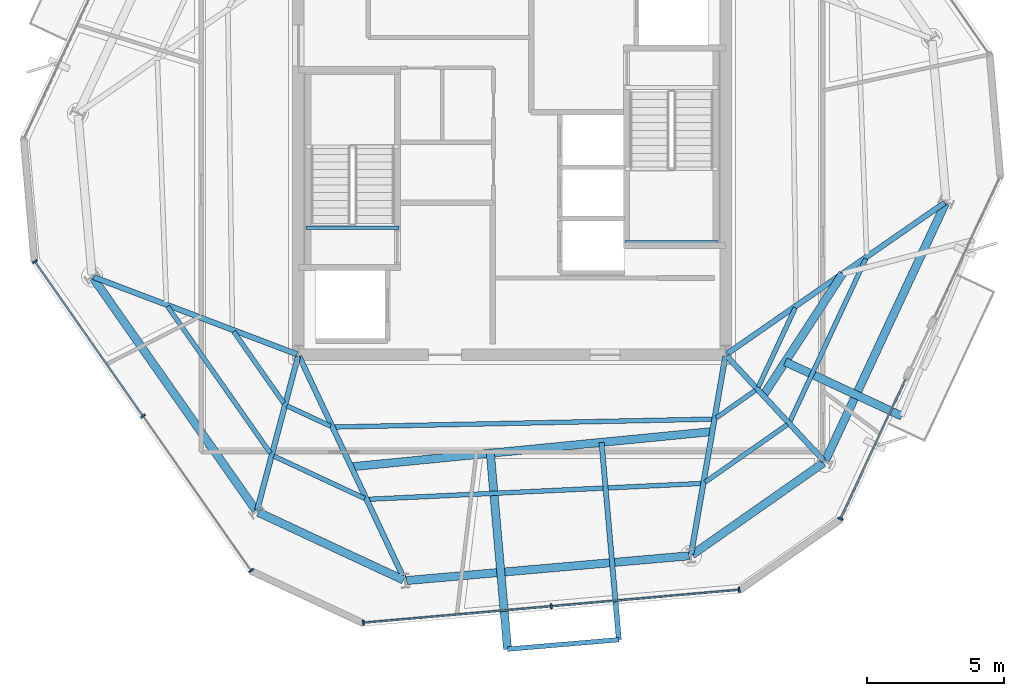
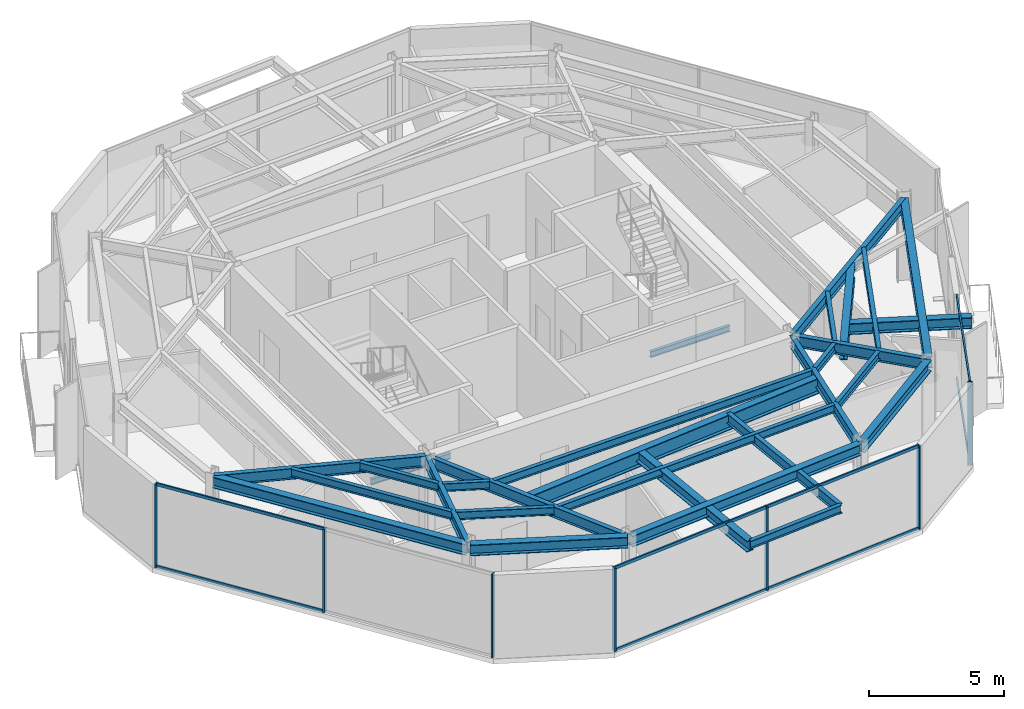
# One storey, part 2 of 11: 29 beams, 15 members, 3 elements without a shape of their own.
"""IFC4 building model written with IfcOpenShell, lengths in metres."""

import ifcopenshell
import ifcopenshell.guid

model = None  # the IFC model being written
_history = None  # IfcOwnerHistory: only IFC2X3 demands one
_inside = {}  # id of a spatial element -> (the spatial element, [elements in it])
_under = {}  # id of a project, library or spatial element -> (it, [spatial elements below it])
_declared = {}  # id of a project -> (the project, [libraries it declares])
_typed = {}  # id of a type object -> (the type object, [elements of that type])
_made_of = {}  # id of a material, layer set ... -> (it, [elements and type objects made of it])


def new_model(schema):
    """Start an empty IFC model of exactly this schema.

    Asked for "IFC4X3", IfcOpenShell would pick the latest addendum, in which some entities
    have other attributes; the version numbers below select the first issue.
    IFC2X3 requires an IfcOwnerHistory on every rooted entity: one is made here for all.
    """
    global model, _history
    if schema == "IFC4X3":
        model = ifcopenshell.file(schema_version=(4, 3, 0, 0))
    else:
        model = ifcopenshell.file(schema=schema)
    _inside.clear()
    _under.clear()
    _declared.clear()
    _typed.clear()
    _made_of.clear()
    _history = None
    if model.schema == "IFC2X3":
        org = make("IfcOrganization", Name="unknown")
        user = make(
            "IfcPersonAndOrganization",
            ThePerson=make("IfcPerson", FamilyName="unknown"),
            TheOrganization=org,
        )
        app = make(
            "IfcApplication",
            ApplicationDeveloper=org,
            Version="unknown",
            ApplicationFullName="unknown",
            ApplicationIdentifier="unknown",
        )
        _history = make(
            "IfcOwnerHistory",
            OwningUser=user,
            OwningApplication=app,
            ChangeAction="ADDED",
            CreationDate=0,
        )
    return model


def make(cls, **values):
    """One entity of the class cls with the attributes given. An attribute that is None is left unset."""
    return model.create_entity(
        cls, **{name: value for name, value in values.items() if value is not None}
    )


def rooted(cls, **values):
    """An entity with a GlobalId (a new one), such as an element, a storey or a relation."""
    return make(cls, GlobalId=ifcopenshell.guid.new(), OwnerHistory=_history, **values)


def si_unit(unit_type, name, prefix=None):
    """IfcSIUnit, for example si_unit("LENGTHUNIT", "METRE", prefix="MILLI")."""
    return make("IfcSIUnit", UnitType=unit_type, Prefix=prefix, Name=name)


def assignment(units):
    """IfcUnitAssignment: the units of a project."""
    return None if units is None else make("IfcUnitAssignment", Units=units)


def point(xyz):
    """IfcCartesianPoint."""
    return None if xyz is None else make("IfcCartesianPoint", Coordinates=xyz)


def direction(xyz):
    """IfcDirection."""
    return None if xyz is None else make("IfcDirection", DirectionRatios=xyz)


def frame(location, z_axis=None, x_axis=None):
    """IfcAxis2Placement3D, a coordinate frame: its origin and axes. An axis left out is left unset."""
    return make(
        "IfcAxis2Placement3D",
        Location=point(location),
        Axis=direction(z_axis),
        RefDirection=direction(x_axis),
    )


def frame_2d(location, x_axis=None):
    """IfcAxis2Placement2D, a coordinate frame in the plane: its origin and x axis."""
    return make(
        "IfcAxis2Placement2D", Location=point(location), RefDirection=direction(x_axis)
    )


def origin():
    """The frame at (0, 0, 0) with its axes left unset."""
    return frame((0.0, 0.0, 0.0))


def origin_2d():
    """The frame at (0, 0) in the plane with its x axis left unset."""
    return frame_2d((0.0, 0.0))


def place(relative_to, where):
    """IfcLocalPlacement: puts the frame where relative to a parent placement (None: the world)."""
    return make(
        "IfcLocalPlacement", PlacementRelTo=relative_to, RelativePlacement=where
    )


def context(
    kind, dimensions, precision=None, world=None, true_north=None, identifier=None
):
    """IfcGeometricRepresentationContext, for example the 3D "Model" context."""
    return make(
        "IfcGeometricRepresentationContext",
        ContextIdentifier=identifier,
        ContextType=kind,
        CoordinateSpaceDimension=dimensions,
        Precision=precision,
        WorldCoordinateSystem=world,
        TrueNorth=true_north,
    )


def subcontext(parent, identifier, kind, view, scale=None):
    """IfcGeometricRepresentationSubContext, for example "Body" below "Model"."""
    return make(
        "IfcGeometricRepresentationSubContext",
        ContextIdentifier=identifier,
        ContextType=kind,
        ParentContext=parent,
        TargetScale=scale,
        TargetView=view,
    )


def project(units=None, contexts=None):
    """IfcProject with its units and contexts."""
    return rooted(
        "IfcProject",
        Name="project",
        RepresentationContexts=contexts,
        UnitsInContext=assignment(units),
    )


def spatial(cls, under=None, at=None, **own):
    """A site, building, storey or space (cls), placed at a placement, below another one or the project."""
    s = rooted(cls, ObjectPlacement=at, **own)
    if under is not None:
        _under.setdefault(under.id(), (under, []))[1].append(s)
    return s


def profile(cls, at=None, kind="AREA", **sizes):
    """A parametric profile (cls). Its sizes go by their IFC names, for example OverallWidth=200.0."""
    return make(cls, ProfileType=kind, Position=at, **sizes)


def rectangle(**sizes):
    """IfcRectangleProfileDef."""
    return profile("IfcRectangleProfileDef", **sizes)


def i_section(**sizes):
    """IfcIShapeProfileDef."""
    return profile("IfcIShapeProfileDef", **sizes)


def extrude(swept, where, along, depth):
    """IfcExtrudedAreaSolid: the profile swept, set in the frame where, extruded along a direction by depth."""
    return make(
        "IfcExtrudedAreaSolid",
        SweptArea=swept,
        Position=where,
        ExtrudedDirection=direction(along),
        Depth=depth,
    )


def shape(context_of_items, identifier, shape_type, items):
    """IfcShapeRepresentation: the items that make up one representation, for example the "Body"."""
    return make(
        "IfcShapeRepresentation",
        ContextOfItems=context_of_items,
        RepresentationIdentifier=identifier,
        RepresentationType=shape_type,
        Items=items,
    )


def material(Name=None, Category=None):
    """IfcMaterial."""
    return make("IfcMaterial", Name=Name, Category=Category)


def layer(
    of_material, thickness, ventilated=None, Name=None, Category=None, Priority=None
):
    """IfcMaterialLayer: one layer of a wall or slab, of a material (None: an air gap)."""
    return make(
        "IfcMaterialLayer",
        Material=of_material,
        LayerThickness=thickness,
        IsVentilated=ventilated,
        Name=Name,
        Category=Category,
        Priority=Priority,
    )


def layer_set(layers, Name=None):
    """IfcMaterialLayerSet."""
    return make("IfcMaterialLayerSet", MaterialLayers=layers, LayerSetName=Name)


def material_profile(
    of_material, cross_section, Name=None, Category=None, Priority=None
):
    """IfcMaterialProfile: a cross section and its material."""
    return make(
        "IfcMaterialProfile",
        Name=Name,
        Material=of_material,
        Profile=cross_section,
        Priority=Priority,
        Category=Category,
    )


def profile_set(profiles, Name=None, composite=None):
    """IfcMaterialProfileSet."""
    return make(
        "IfcMaterialProfileSet",
        Name=Name,
        MaterialProfiles=profiles,
        CompositeProfile=composite,
    )


def made_of(thing, what):
    """Note that an element or type object is made of a material, layer set ...; save() writes the relation."""
    if what is not None:
        _made_of.setdefault(what.id(), (what, []))[1].append(thing)
    return thing


def type_object(cls, material=None, **own):
    """A type object (cls), such as IfcWallType, which elements share."""
    return made_of(rooted(cls, **own), material)


def element(
    cls,
    number,
    at=None,
    inside=None,
    cuts=None,
    type_object=None,
    material=None,
    context=None,
    identifier="Body",
    shape_type=None,
    held_by="IfcProductDefinitionShape",
    body=None,
    shapes=None,
    **own,
):
    """One element of the class cls, such as IfcWall. Its Tag is "e" and its number.

    at: its placement. inside: the storey or other place that contains it. cuts: it is an
    opening in that element (IfcRelVoidsElement). A single representation is given by context,
    identifier, shape_type and body (its items); several are given by shapes. held_by: the class
    of the entity that holds the representations. save() writes the other relations.
    """
    e = rooted(cls, Tag="e%d" % number, ObjectPlacement=at, **own)
    if body is not None:
        shapes = [shape(context, identifier, shape_type, body)]
    if shapes is not None:
        e.Representation = make(held_by, Representations=shapes)
    if inside is not None:
        _inside.setdefault(inside.id(), (inside, []))[1].append(e)
    if cuts is not None:
        rooted(
            "IfcRelVoidsElement", RelatingBuildingElement=cuts, RelatedOpeningElement=e
        )
    if type_object is not None:
        _typed.setdefault(type_object.id(), (type_object, []))[1].append(e)
    return made_of(e, material)


def aggregate(whole, parts):
    """IfcRelAggregates: a whole, such as a stair, and the parts it consists of."""
    return rooted("IfcRelAggregates", RelatingObject=whole, RelatedObjects=parts)


def save(model, path):
    """Write the relations noted so far, then the file.

    IfcRelAggregates (storeys below a building ...), IfcRelContainedInSpatialStructure (elements
    in a storey), IfcRelDefinesByType, IfcRelAssociatesMaterial and IfcRelDeclares: one each for
    every whole, place, type object, material and project.
    """
    for whole, parts in _under.values():
        aggregate(whole, parts)
    for where, things in _inside.values():
        rooted(
            "IfcRelContainedInSpatialStructure",
            RelatedElements=things,
            RelatingStructure=where,
        )
    for kind, things in _typed.values():
        rooted("IfcRelDefinesByType", RelatedObjects=things, RelatingType=kind)
    for what, things in _made_of.values():
        rooted("IfcRelAssociatesMaterial", RelatedObjects=things, RelatingMaterial=what)
    for by, libraries in _declared.values():
        rooted("IfcRelDeclares", RelatingContext=by, RelatedDefinitions=libraries)
    model.write(path)


model = new_model("IFC4")

# Units and contexts
model_context = context("Model", 3, precision=1e-05, world=origin(), true_north=direction((0.0, 1.0)))
body_context = subcontext(model_context, "Body", "Model", "MODEL_VIEW")
ifc_project = project(units=[si_unit("LENGTHUNIT", "METRE"), si_unit("AREAUNIT", "SQUARE_METRE"), si_unit("VOLUMEUNIT", "CUBIC_METRE"), si_unit("PLANEANGLEUNIT", "RADIAN"), si_unit("MASSUNIT", "GRAM", prefix="KILO")], contexts=[model_context])

# Site, building, storey
site_placement = place(None, origin())
site = spatial("IfcSite", under=ifc_project, at=site_placement, CompositionType="ELEMENT")
building_placement = place(site_placement, origin())
building = spatial("IfcBuilding", under=site, at=building_placement, Name="Kranzbogen Civic Tower", CompositionType="ELEMENT")
storey_placement = place(building_placement, frame((0.0, 0.0, 286.199951171875)))
storey = spatial("IfcBuildingStorey", under=building, at=storey_placement, Name="L69", CompositionType="ELEMENT", Elevation=286.199951171875)

# Beam
ifc_material_1 = material(Name="Steel S355", Category="steel")
ifc_material_profile_1 = material_profile(ifc_material_1, i_section(OverallWidth=0.18994140625, OverallDepth=0.449951171875, WebThickness=0.009521484375, FlangeThickness=0.0146484375, at=origin_2d()), Name="IPE 450")
ifc_profile_set_1 = profile_set([ifc_material_profile_1], Name="Steel S355")
beam_type_1 = type_object("IfcBeamType", Name="Braced Terrace Edge Beam IPE 450", PredefinedType="BEAM", material=ifc_profile_set_1)
beam_1_placement = place(storey_placement, frame((28.27099609375, 14.60205078125, 3.525146484375), z_axis=(0.087233929673, -0.99618785453, 0.0), x_axis=(0.99618785453, 0.087233929673, 0.0)))
element("IfcBeam", 1, at=beam_1_placement, inside=storey, type_object=beam_type_1, Name="L70 back-spanned terrace beam L70-TB2-2", PredefinedType="BEAM", context=body_context, shape_type="SweptSolid", body=[
    extrude(i_section(OverallWidth=0.18994140625, OverallDepth=0.449951171875, WebThickness=0.009521484375, FlangeThickness=0.0146484375, at=origin_2d()), origin(), (0.0, 0.0, 1.0), 7.234619140625),
])

# Curtain wall, members
ifc_material_2 = material(Name="Pale Anodised Aluminium", Category="aluminium")
ifc_layer = layer(ifc_material_2, 0.219970703125, Name="Pale Anodised Aluminium")
ifc_layer_set = layer_set([ifc_layer], Name="Pale Anodised Aluminium")
curtain_wall_type = type_object("IfcCurtainWallType", Name="Zone 4 Stick Curtain Wall System CW-05", PredefinedType="USERDEFINED", material=ifc_layer_set)
curtain_wall_1_placement = place(storey_placement, origin())
curtain_wall_1 = element("IfcCurtainWall", 2, at=curtain_wall_1_placement, inside=storey, type_object=curtain_wall_type, Name="L69 curtain wall CW-L69-F3", ObjectType="STICK CURTAIN WALL", PredefinedType="USERDEFINED")
ifc_material_profile_2 = material_profile(ifc_material_2, rectangle(XDim=0.06494140625, YDim=0.179931640625, at=origin_2d()), Name="ALU-M 65x180")
ifc_profile_set_2 = profile_set([ifc_material_profile_2], Name="Pale Anodised Aluminium")
member_type_1 = type_object("IfcMemberType", Name="Curtain Wall Mullion ALU-M 65x180", PredefinedType="MULLION", material=ifc_profile_set_2)
member_1_placement = place(storey_placement, frame((7.578125, 21.20947265625, 0.0), z_axis=(0.0, 0.0, 1.0), x_axis=(0.573520552837, -0.819191171506, 0.0)))
member_1 = element("IfcMember", 3, at=member_1_placement, type_object=member_type_1, Name="CW-05 mullion 1", PredefinedType="MULLION", context=body_context, shape_type="SweptSolid", body=[
    extrude(rectangle(XDim=0.06494140625, YDim=0.179931640625, at=origin_2d()), origin(), (0.0, 0.0, 1.0), 3.780029296875),
])
member_2_placement = place(storey_placement, frame((11.528564453125, 15.56689453125, 0.0), z_axis=(0.0, 0.0, 1.0), x_axis=(0.573520552837, -0.819191171506, 0.0)))
member_2 = element("IfcMember", 4, at=member_2_placement, type_object=member_type_1, Name="CW-05 mullion 2", PredefinedType="MULLION", context=body_context, shape_type="SweptSolid", body=[
    extrude(rectangle(XDim=0.06494140625, YDim=0.179931640625, at=origin_2d()), origin(), (0.0, 0.0, 1.0), 3.780029296875),
])
member_3_placement = place(storey_placement, frame((15.478759765625, 9.924560546875, 0.0), z_axis=(0.0, 0.0, 1.0), x_axis=(0.573520552837, -0.819191171506, 0.0)))
member_3 = element("IfcMember", 5, at=member_3_placement, type_object=member_type_1, Name="CW-05 mullion 3", PredefinedType="MULLION", context=body_context, shape_type="SweptSolid", body=[
    extrude(rectangle(XDim=0.06494140625, YDim=0.179931640625, at=origin_2d()), origin(), (0.0, 0.0, 1.0), 3.780029296875),
])

curtain_wall_2_placement = place(storey_placement, origin())
curtain_wall_2 = element("IfcCurtainWall", 6, at=curtain_wall_2_placement, inside=storey, type_object=curtain_wall_type, Name="L69 curtain wall CW-L69-F4", ObjectType="STICK CURTAIN WALL", PredefinedType="USERDEFINED")
member_4_placement = place(storey_placement, frame((19.572998046875, 8.015625, 0.0), z_axis=(0.0, 0.0, 1.0), x_axis=(0.99618696717, 0.087244062492, 0.0)))
member_4 = element("IfcMember", 7, at=member_4_placement, type_object=member_type_1, Name="CW-05 mullion 1", PredefinedType="MULLION", context=body_context, shape_type="SweptSolid", body=[
    extrude(rectangle(XDim=0.06494140625, YDim=0.179931640625, at=origin_2d()), origin(), (0.0, 0.0, 1.0), 3.780029296875),
])
member_5_placement = place(storey_placement, frame((26.43408203125, 8.616455078125, 0.0), z_axis=(0.0, 0.0, 1.0), x_axis=(0.99618696717, 0.087244062492, 0.0)))
member_5 = element("IfcMember", 8, at=member_5_placement, type_object=member_type_1, Name="CW-05 mullion 2", PredefinedType="MULLION", context=body_context, shape_type="SweptSolid", body=[
    extrude(rectangle(XDim=0.06494140625, YDim=0.179931640625, at=origin_2d()), origin(), (0.0, 0.0, 1.0), 3.780029296875),
])
member_6_placement = place(storey_placement, frame((33.295166015625, 9.21728515625, 0.0), z_axis=(0.0, 0.0, 1.0), x_axis=(0.99618696717, 0.087244062492, 0.0)))
member_6 = element("IfcMember", 9, at=member_6_placement, type_object=member_type_1, Name="CW-05 mullion 3", PredefinedType="MULLION", context=body_context, shape_type="SweptSolid", body=[
    extrude(rectangle(XDim=0.06494140625, YDim=0.179931640625, at=origin_2d()), origin(), (0.0, 0.0, 1.0), 3.780029296875),
])

# Curtain wall, member
curtain_wall_3_placement = place(storey_placement, origin())
curtain_wall_3 = element("IfcCurtainWall", 10, at=curtain_wall_3_placement, inside=storey, type_object=curtain_wall_type, Name="L69 curtain wall CW-L69-F5-S1", ObjectType="STICK CURTAIN WALL", PredefinedType="USERDEFINED")
member_7_placement = place(storey_placement, frame((36.99462890625, 11.80810546875, 0.0), z_axis=(0.0, 0.0, 1.0), x_axis=(0.422626886136, 0.906303765365, 0.0)))
member_7 = element("IfcMember", 11, at=member_7_placement, type_object=member_type_1, Name="CW-05 mullion 1", PredefinedType="MULLION", context=body_context, shape_type="SweptSolid", body=[
    extrude(rectangle(XDim=0.06494140625, YDim=0.179931640625, at=origin_2d()), origin(), (0.0, 0.0, 1.0), 3.780029296875),
])

# Member
ifc_material_profile_3 = material_profile(ifc_material_2, rectangle(XDim=0.06494140625, YDim=0.135009765625, at=origin_2d()), Name="ALU-T 65x135")
ifc_profile_set_3 = profile_set([ifc_material_profile_3], Name="Pale Anodised Aluminium")
member_type_2 = type_object("IfcMemberType", Name="Curtain Wall Transom ALU-T 65x135", PredefinedType="USERDEFINED", material=ifc_profile_set_3)
member_8_placement = place(storey_placement, frame((7.595458984375, 21.184814453125, 0.030029296875), z_axis=(0.573510339672, -0.819198321708, 0.0), x_axis=(0.819198321708, 0.573510339672, 0.0)))
member_8 = element("IfcMember", 12, at=member_8_placement, type_object=member_type_2, Name="CW-05 transom 1.1", ObjectType="TRANSOM", PredefinedType="USERDEFINED", context=body_context, shape_type="SweptSolid", body=[
    extrude(rectangle(XDim=0.06494140625, YDim=0.135009765625, at=origin_2d()), origin(), (0.0, 0.0, 1.0), 6.82763671875),
])

member_9_placement = place(storey_placement, frame((7.595458984375, 21.184814453125, 3.75), z_axis=(0.573510339672, -0.819198321708, 0.0), x_axis=(0.819198321708, 0.573510339672, 0.0)))
member_9 = element("IfcMember", 13, at=member_9_placement, type_object=member_type_2, Name="CW-05 transom 1.2", ObjectType="TRANSOM", PredefinedType="USERDEFINED", context=body_context, shape_type="SweptSolid", body=[
    extrude(rectangle(XDim=0.06494140625, YDim=0.135009765625, at=origin_2d()), origin(), (0.0, 0.0, 1.0), 6.82763671875),
])

aggregate(curtain_wall_1, [member_1, member_2, member_3, member_8, member_9])

member_10_placement = place(storey_placement, frame((19.602783203125, 8.018310546875, 0.030029296875), z_axis=(0.996189291323, 0.087217520337, 0.0), x_axis=(-0.087217520337, 0.996189291323, 0.0)))
member_10 = element("IfcMember", 14, at=member_10_placement, type_object=member_type_2, Name="CW-05 transom 1.1", ObjectType="TRANSOM", PredefinedType="USERDEFINED", context=body_context, shape_type="SweptSolid", body=[
    extrude(rectangle(XDim=0.06494140625, YDim=0.135009765625, at=origin_2d()), origin(), (0.0, 0.0, 1.0), 6.827392578125),
])

member_11_placement = place(storey_placement, frame((19.602783203125, 8.018310546875, 3.75), z_axis=(0.996189291323, 0.087217520337, 0.0), x_axis=(-0.087217520337, 0.996189291323, 0.0)))
member_11 = element("IfcMember", 15, at=member_11_placement, type_object=member_type_2, Name="CW-05 transom 1.2", ObjectType="TRANSOM", PredefinedType="USERDEFINED", context=body_context, shape_type="SweptSolid", body=[
    extrude(rectangle(XDim=0.06494140625, YDim=0.135009765625, at=origin_2d()), origin(), (0.0, 0.0, 1.0), 6.827392578125),
])

member_12_placement = place(storey_placement, frame((26.4638671875, 8.619140625, 0.030029296875), z_axis=(0.996186183727, 0.087253007692, 0.0), x_axis=(-0.087253007692, 0.996186183727, 0.0)))
member_12 = element("IfcMember", 16, at=member_12_placement, type_object=member_type_2, Name="CW-05 transom 2.1", ObjectType="TRANSOM", PredefinedType="USERDEFINED", context=body_context, shape_type="SweptSolid", body=[
    extrude(rectangle(XDim=0.06494140625, YDim=0.135009765625, at=origin_2d()), origin(), (0.0, 0.0, 1.0), 6.827392578125),
])

member_13_placement = place(storey_placement, frame((26.4638671875, 8.619140625, 3.75), z_axis=(0.996186183727, 0.087253007692, 0.0), x_axis=(-0.087253007692, 0.996186183727, 0.0)))
member_13 = element("IfcMember", 17, at=member_13_placement, type_object=member_type_2, Name="CW-05 transom 2.2", ObjectType="TRANSOM", PredefinedType="USERDEFINED", context=body_context, shape_type="SweptSolid", body=[
    extrude(rectangle(XDim=0.06494140625, YDim=0.135009765625, at=origin_2d()), origin(), (0.0, 0.0, 1.0), 6.827392578125),
])

aggregate(curtain_wall_2, [member_4, member_5, member_6, member_10, member_11, member_12, member_13])

member_14_placement = place(storey_placement, frame((37.00732421875, 11.83544921875, 0.030029296875), z_axis=(0.422617978463, 0.906307919131, 0.0), x_axis=(-0.906307919131, 0.422617978463, 0.0)))
member_14 = element("IfcMember", 18, at=member_14_placement, type_object=member_type_2, Name="CW-05 transom 1.1", ObjectType="TRANSOM", PredefinedType="USERDEFINED", context=body_context, shape_type="SweptSolid", body=[
    extrude(rectangle(XDim=0.06494140625, YDim=0.135009765625, at=origin_2d()), origin(), (0.0, 0.0, 1.0), 5.5966796875),
])

member_15_placement = place(storey_placement, frame((37.00732421875, 11.83544921875, 3.75), z_axis=(0.422617978463, 0.906307919131, 0.0), x_axis=(-0.906307919131, 0.422617978463, 0.0)))
member_15 = element("IfcMember", 19, at=member_15_placement, type_object=member_type_2, Name="CW-05 transom 1.2", ObjectType="TRANSOM", PredefinedType="USERDEFINED", context=body_context, shape_type="SweptSolid", body=[
    extrude(rectangle(XDim=0.06494140625, YDim=0.135009765625, at=origin_2d()), origin(), (0.0, 0.0, 1.0), 5.5966796875),
])

aggregate(curtain_wall_3, [member_7, member_14, member_15])

# Beams
ifc_material_profile_4 = material_profile(ifc_material_1, i_section(OverallWidth=0.300048828125, OverallDepth=0.5, WebThickness=0.014404296875, FlangeThickness=0.028076171875, at=origin_2d()), Name="HEB 500")
ifc_profile_set_4 = profile_set([ifc_material_profile_4], Name="Steel S355")
beam_type_2 = type_object("IfcBeamType", Name="Perimeter Tube Spandrel Beam HEB 500", PredefinedType="SPANDREL", material=ifc_profile_set_4)
beam_2_placement = place(storey_placement, frame((9.699951171875, 20.612060546875, 3.530029296875), z_axis=(0.573577759301, -0.819151117948, 0.0), x_axis=(0.819151117948, 0.573577759301, 0.0)))
element("IfcBeam", 20, at=beam_2_placement, inside=storey, type_object=beam_type_2, Name="L69 perimeter spandrel beam 01", PredefinedType="SPANDREL", context=body_context, shape_type="SweptSolid", body=[
    extrude(i_section(OverallWidth=0.300048828125, OverallDepth=0.5, WebThickness=0.014404296875, FlangeThickness=0.028076171875, at=origin_2d()), origin(), (0.0, 0.0, 1.0), 10.36328125),
])
beam_3_placement = place(storey_placement, frame((15.73193359375, 12.049072265625, 3.530029296875), z_axis=(0.906289661556, -0.422657129784, 0.0), x_axis=(0.422657129784, 0.906289661556, 0.0)))
element("IfcBeam", 21, at=beam_3_placement, inside=storey, type_object=beam_type_2, Name="L69 perimeter spandrel beam 02", PredefinedType="SPANDREL", context=body_context, shape_type="SweptSolid", body=[
    extrude(i_section(OverallWidth=0.300048828125, OverallDepth=0.5, WebThickness=0.014404296875, FlangeThickness=0.028076171875, at=origin_2d()), origin(), (0.0, 0.0, 1.0), 5.853759765625),
])
beam_4_placement = place(storey_placement, frame((21.15087890625, 9.554931640625, 3.530029296875), z_axis=(0.996186373839, 0.087250837114, 0.0), x_axis=(-0.087250837114, 0.996186373839, 0.0)))
element("IfcBeam", 22, at=beam_4_placement, inside=storey, type_object=beam_type_2, Name="L69 perimeter spandrel beam 03", PredefinedType="SPANDREL", context=body_context, shape_type="SweptSolid", body=[
    extrude(i_section(OverallWidth=0.300048828125, OverallDepth=0.5, WebThickness=0.014404296875, FlangeThickness=0.028076171875, at=origin_2d()), origin(), (0.0, 0.0, 1.0), 10.361572265625),
])
beam_5_placement = place(storey_placement, frame((31.58203125, 10.498046875, 3.530029296875), z_axis=(0.819059436004, 0.57370867197, 0.0), x_axis=(-0.57370867197, 0.819059436004, 0.0)))
element("IfcBeam", 23, at=beam_5_placement, inside=storey, type_object=beam_type_2, Name="L69 perimeter spandrel beam 04", PredefinedType="SPANDREL", context=body_context, shape_type="SweptSolid", body=[
    extrude(i_section(OverallWidth=0.300048828125, OverallDepth=0.5, WebThickness=0.014404296875, FlangeThickness=0.028076171875, at=origin_2d()), origin(), (0.0, 0.0, 1.0), 5.85302734375),
])
beam_6_placement = place(storey_placement, frame((36.449951171875, 13.944091796875, 3.530029296875), z_axis=(0.422668780888, 0.906284227857, 0.0), x_axis=(-0.906284227857, 0.422668780888, 0.0)))
element("IfcBeam", 24, at=beam_6_placement, inside=storey, type_object=beam_type_2, Name="L69 perimeter spandrel beam 05", PredefinedType="SPANDREL", context=body_context, shape_type="SweptSolid", body=[
    extrude(i_section(OverallWidth=0.300048828125, OverallDepth=0.5, WebThickness=0.014404296875, FlangeThickness=0.028076171875, at=origin_2d()), origin(), (0.0, 0.0, 1.0), 10.363037109375),
])
beam_7_placement = place(storey_placement, frame((24.2099609375, 14.2060546875, 3.5), z_axis=(0.087277832057, -0.996184009123, 0.0), x_axis=(0.996184009123, 0.087277832057, 0.0)))
element("IfcBeam", 25, at=beam_7_placement, inside=storey, type_object=beam_type_2, Name="L70 back-spanned terrace beam L70-TB2-1", PredefinedType="SPANDREL", context=body_context, shape_type="SweptSolid", body=[
    extrude(i_section(OverallWidth=0.300048828125, OverallDepth=0.5, WebThickness=0.014404296875, FlangeThickness=0.028076171875, at=origin_2d()), origin(), (0.0, 0.0, 1.0), 7.183349609375),
])
beam_8_placement = place(storey_placement, frame((34.97900390625, 17.544921875, 3.469970703125), z_axis=(0.906327826568, -0.422575284166, 0.0), x_axis=(0.422575284166, 0.906327826568, 0.0)))
element("IfcBeam", 26, at=beam_8_placement, inside=storey, type_object=beam_type_2, Name="L70 back-spanned terrace beam L70-ST-1", PredefinedType="SPANDREL", context=body_context, shape_type="SweptSolid", body=[
    extrude(i_section(OverallWidth=0.300048828125, OverallDepth=0.5, WebThickness=0.014404296875, FlangeThickness=0.028076171875, at=origin_2d()), origin(), (0.0, 0.0, 1.0), 4.697021484375),
])
ifc_material_profile_5 = material_profile(ifc_material_1, i_section(OverallWidth=0.300048828125, OverallDepth=0.699951171875, WebThickness=0.01708984375, FlangeThickness=0.031982421875, at=origin_2d()), Name="HEB 700")
ifc_profile_set_5 = profile_set([ifc_material_profile_5], Name="Steel S355")
beam_type_3 = type_object("IfcBeamType", Name="Perimeter Tube Spandrel Beam HEB 700", PredefinedType="SPANDREL", material=ifc_profile_set_5)
beam_9_placement = place(storey_placement, frame((19.12890625, 13.7099609375, 3.400146484375), z_axis=(0.995270463506, 0.097142701589, 0.0), x_axis=(-0.097142701589, 0.995270463506, 0.0)))
element("IfcBeam", 27, at=beam_9_placement, inside=storey, type_object=beam_type_3, Name="L70 balcony back-span header girder L70-TB2", PredefinedType="SPANDREL", context=body_context, shape_type="SweptSolid", body=[
    extrude(i_section(OverallWidth=0.300048828125, OverallDepth=0.699951171875, WebThickness=0.01708984375, FlangeThickness=0.031982421875, at=origin_2d()), origin(), (0.0, 0.0, 1.0), 13.249755859375),
])
beam_10_placement = place(storey_placement, frame((34.177001953125, 16.31396484375, 3.3701171875), z_axis=(0.54556961734, 0.838065506172, 0.0), x_axis=(-0.838065506172, 0.54556961734, 0.0)))
element("IfcBeam", 28, at=beam_10_placement, inside=storey, type_object=beam_type_3, Name="L70 balcony back-span header girder L70-ST", PredefinedType="SPANDREL", context=body_context, shape_type="SweptSolid", body=[
    extrude(i_section(OverallWidth=0.300048828125, OverallDepth=0.699951171875, WebThickness=0.01708984375, FlangeThickness=0.031982421875, at=origin_2d()), origin(), (0.0, 0.0, 1.0), 5.3134765625),
])
ifc_material_profile_6 = material_profile(ifc_material_1, i_section(OverallWidth=0.199951171875, OverallDepth=0.5, WebThickness=0.01025390625, FlangeThickness=0.01611328125, at=origin_2d()), Name="IPE 500")
ifc_profile_set_6 = profile_set([ifc_material_profile_6], Name="Steel S355")
beam_type_4 = type_object("IfcBeamType", Name="Radial Tower Floor Girder IPE 500", PredefinedType="BEAM", material=ifc_profile_set_6)
beam_11_placement = place(storey_placement, frame((9.721923828125, 20.639892578125, 3.530029296875), z_axis=(0.934848709689, -0.355046320913, 0.0), x_axis=(0.355046320913, 0.934848709689, 0.0)))
element("IfcBeam", 29, at=beam_11_placement, inside=storey, type_object=beam_type_4, Name="L69 radial floor girder 01", PredefinedType="BEAM", context=body_context, shape_type="SweptSolid", body=[
    extrude(i_section(OverallWidth=0.199951171875, OverallDepth=0.5, WebThickness=0.01025390625, FlangeThickness=0.01611328125, at=origin_2d()), origin(), (0.0, 0.0, 1.0), 7.939453125),
])
beam_12_placement = place(storey_placement, frame((15.693115234375, 12.132080078125, 3.530029296875), z_axis=(0.257016017622, 0.966407143333, 0.0), x_axis=(-0.966407143333, 0.257016017622, 0.0)))
element("IfcBeam", 30, at=beam_12_placement, inside=storey, type_object=beam_type_4, Name="L69 radial floor girder 02", PredefinedType="BEAM", context=body_context, shape_type="SweptSolid", body=[
    extrude(i_section(OverallWidth=0.199951171875, OverallDepth=0.5, WebThickness=0.01025390625, FlangeThickness=0.01611328125, at=origin_2d()), origin(), (0.0, 0.0, 1.0), 5.804931640625),
])
beam_13_placement = place(storey_placement, frame((21.06494140625, 9.60400390625, 3.530029296875), z_axis=(-0.426460441273, 0.904506214478, 0.0), x_axis=(-0.904506214478, -0.426460441273, 0.0)))
element("IfcBeam", 31, at=beam_13_placement, inside=storey, type_object=beam_type_4, Name="L69 radial floor girder 03", PredefinedType="BEAM", context=body_context, shape_type="SweptSolid", body=[
    extrude(i_section(OverallWidth=0.199951171875, OverallDepth=0.5, WebThickness=0.01025390625, FlangeThickness=0.01611328125, at=origin_2d()), origin(), (0.0, 0.0, 1.0), 9.001708984375),
])
beam_14_placement = place(storey_placement, frame((31.54296875, 10.52294921875, 3.530029296875), z_axis=(0.170249558486, 0.985400978199, 0.0), x_axis=(-0.985400978199, 0.170249558486, 0.0)))
element("IfcBeam", 32, at=beam_14_placement, inside=storey, type_object=beam_type_4, Name="L69 radial floor girder 04", PredefinedType="BEAM", context=body_context, shape_type="SweptSolid", body=[
    extrude(i_section(OverallWidth=0.199951171875, OverallDepth=0.5, WebThickness=0.01025390625, FlangeThickness=0.01611328125, at=origin_2d()), origin(), (0.0, 0.0, 1.0), 7.324951171875),
])
beam_15_placement = place(storey_placement, frame((36.384033203125, 13.93408203125, 3.530029296875), z_axis=(-0.679827353702, 0.733372190064, 0.0), x_axis=(-0.733372190064, -0.679827353702, 0.0)))
element("IfcBeam", 33, at=beam_15_placement, inside=storey, type_object=beam_type_4, Name="L69 radial floor girder 05", PredefinedType="BEAM", context=body_context, shape_type="SweptSolid", body=[
    extrude(i_section(OverallWidth=0.199951171875, OverallDepth=0.5, WebThickness=0.01025390625, FlangeThickness=0.01611328125, at=origin_2d()), origin(), (0.0, 0.0, 1.0), 5.211669921875),
])
beam_16_placement = place(storey_placement, frame((40.805908203125, 23.35595703125, 3.530029296875), z_axis=(-0.821542812331, -0.570146829779, 0.0), x_axis=(0.570146829779, -0.821542812331, 0.0)))
element("IfcBeam", 34, at=beam_16_placement, inside=storey, type_object=beam_type_4, Name="L69 radial floor girder 06", PredefinedType="BEAM", context=body_context, shape_type="SweptSolid", body=[
    extrude(i_section(OverallWidth=0.199951171875, OverallDepth=0.5, WebThickness=0.01025390625, FlangeThickness=0.01611328125, at=origin_2d()), origin(), (0.0, 0.0, 1.0), 9.68505859375),
])
ifc_material_profile_7 = material_profile(ifc_material_1, i_section(OverallWidth=0.169921875, OverallDepth=0.360107421875, WebThickness=0.008056640625, FlangeThickness=0.0126953125, at=origin_2d()), Name="IPE 360")
ifc_profile_set_7 = profile_set([ifc_material_profile_7], Name="Steel S355")
beam_type_5 = type_object("IfcBeamType", Name="Secondary Composite Floor Joist IPE 360", PredefinedType="JOIST", material=ifc_profile_set_7)
beam_17_placement = place(storey_placement, frame((12.424072265625, 19.56591796875, 3.60009765625), z_axis=(0.573499872939, -0.819205649235, 0.0), x_axis=(0.819205649235, 0.573499872939, 0.0)))
element("IfcBeam", 35, at=beam_17_placement, inside=storey, type_object=beam_type_5, Name="L69 secondary floor joist 1.01", PredefinedType="JOIST", context=body_context, shape_type="SweptSolid", body=[
    extrude(i_section(OverallWidth=0.169921875, OverallDepth=0.360107421875, WebThickness=0.008056640625, FlangeThickness=0.0126953125, at=origin_2d()), origin(), (0.0, 0.0, 1.0), 6.549072265625),
])
beam_18_placement = place(storey_placement, frame((14.8349609375, 18.64990234375, 3.60009765625), z_axis=(0.573498248491, -0.819206786457, 0.0), x_axis=(0.819206786457, 0.573498248491, 0.0)))
element("IfcBeam", 36, at=beam_18_placement, inside=storey, type_object=beam_type_5, Name="L69 secondary floor joist 2.01", PredefinedType="JOIST", context=body_context, shape_type="SweptSolid", body=[
    extrude(i_section(OverallWidth=0.169921875, OverallDepth=0.360107421875, WebThickness=0.008056640625, FlangeThickness=0.0126953125, at=origin_2d()), origin(), (0.0, 0.0, 1.0), 3.194580078125),
])
beam_19_placement = place(storey_placement, frame((16.298095703125, 14.10205078125, 3.60009765625), z_axis=(0.906303996948, -0.422626389517, 0.0), x_axis=(0.422626389517, 0.906303996948, 0.0)))
element("IfcBeam", 37, at=beam_19_placement, inside=storey, type_object=beam_type_5, Name="L69 secondary floor joist 1.02", PredefinedType="JOIST", context=body_context, shape_type="SweptSolid", body=[
    extrude(i_section(OverallWidth=0.169921875, OverallDepth=0.360107421875, WebThickness=0.008056640625, FlangeThickness=0.0126953125, at=origin_2d()), origin(), (0.0, 0.0, 1.0), 3.6630859375),
])
beam_20_placement = place(storey_placement, frame((16.784912109375, 15.93408203125, 3.60009765625), z_axis=(0.906432174342, -0.422351409751, 0.0), x_axis=(0.422351409751, 0.906432174342, 0.0)))
element("IfcBeam", 38, at=beam_20_placement, inside=storey, type_object=beam_type_5, Name="L69 secondary floor joist 2.02", PredefinedType="JOIST", context=body_context, shape_type="SweptSolid", body=[
    extrude(i_section(OverallWidth=0.169921875, OverallDepth=0.360107421875, WebThickness=0.008056640625, FlangeThickness=0.0126953125, at=origin_2d()), origin(), (0.0, 0.0, 1.0), 1.751953125),
])
beam_21_placement = place(storey_placement, frame((19.77001953125, 12.52392578125, 3.60009765625), z_axis=(0.998871634781, 0.047491654324, 0.0), x_axis=(-0.047491654324, 0.998871634781, 0.0)))
element("IfcBeam", 39, at=beam_21_placement, inside=storey, type_object=beam_type_5, Name="L69 secondary floor joist 1.03", PredefinedType="JOIST", context=body_context, shape_type="SweptSolid", body=[
    extrude(i_section(OverallWidth=0.169921875, OverallDepth=0.360107421875, WebThickness=0.008056640625, FlangeThickness=0.0126953125, at=origin_2d()), origin(), (0.0, 0.0, 1.0), 12.152587890625),
])
beam_22_placement = place(storey_placement, frame((18.52490234375, 15.162109375, 3.60009765625), z_axis=(0.999780746893, 0.020939392104, 0.0), x_axis=(-0.020939392104, 0.999780746893, 0.0)))
element("IfcBeam", 40, at=beam_22_placement, inside=storey, type_object=beam_type_5, Name="L69 secondary floor joist 2.03", PredefinedType="JOIST", context=body_context, shape_type="SweptSolid", body=[
    extrude(i_section(OverallWidth=0.169921875, OverallDepth=0.360107421875, WebThickness=0.008056640625, FlangeThickness=0.0126953125, at=origin_2d()), origin(), (0.0, 0.0, 1.0), 13.79296875),
])
beam_23_placement = place(storey_placement, frame((32.054931640625, 13.15087890625, 3.60009765625), z_axis=(0.819006333711, 0.573784476385, 0.0), x_axis=(-0.573784476385, 0.819006333711, 0.0)))
element("IfcBeam", 41, at=beam_23_placement, inside=storey, type_object=beam_type_5, Name="L69 secondary floor joist 1.04", PredefinedType="JOIST", context=body_context, shape_type="SweptSolid", body=[
    extrude(i_section(OverallWidth=0.169921875, OverallDepth=0.360107421875, WebThickness=0.008056640625, FlangeThickness=0.0126953125, at=origin_2d()), origin(), (0.0, 0.0, 1.0), 3.661865234375),
])
beam_24_placement = place(storey_placement, frame((32.4599609375, 15.498046875, 3.60009765625), z_axis=(0.818956727849, 0.573855276103, 0.0), x_axis=(-0.573855276103, 0.818956727849, 0.0)))
element("IfcBeam", 42, at=beam_24_placement, inside=storey, type_object=beam_type_5, Name="L69 secondary floor joist 2.04", PredefinedType="JOIST", context=body_context, shape_type="SweptSolid", body=[
    extrude(i_section(OverallWidth=0.169921875, OverallDepth=0.360107421875, WebThickness=0.008056640625, FlangeThickness=0.0126953125, at=origin_2d()), origin(), (0.0, 0.0, 1.0), 1.751220703125),
])
beam_25_placement = place(storey_placement, frame((35.154052734375, 15.3701171875, 3.60009765625), z_axis=(0.422542528713, 0.906343098075, 0.0), x_axis=(-0.906343098075, 0.422542528713, 0.0)))
element("IfcBeam", 43, at=beam_25_placement, inside=storey, type_object=beam_type_5, Name="L69 secondary floor joist 1.05", PredefinedType="JOIST", context=body_context, shape_type="SweptSolid", body=[
    extrude(i_section(OverallWidth=0.169921875, OverallDepth=0.360107421875, WebThickness=0.008056640625, FlangeThickness=0.0126953125, at=origin_2d()), origin(), (0.0, 0.0, 1.0), 6.548095703125),
])
beam_26_placement = place(storey_placement, frame((33.993896484375, 16.62109375, 3.60009765625), z_axis=(0.422651143991, 0.906292453065, 0.0), x_axis=(-0.906292453065, 0.422651143991, 0.0)))
element("IfcBeam", 44, at=beam_26_placement, inside=storey, type_object=beam_type_5, Name="L69 secondary floor joist 2.05", PredefinedType="JOIST", context=body_context, shape_type="SweptSolid", body=[
    extrude(i_section(OverallWidth=0.169921875, OverallDepth=0.360107421875, WebThickness=0.008056640625, FlangeThickness=0.0126953125, at=origin_2d()), origin(), (0.0, 0.0, 1.0), 3.1943359375),
])
beam_27_placement = place(storey_placement, frame((24.8369140625, 7.050048828125, 3.570068359375), z_axis=(0.996418740279, 0.084555863312, 0.0), x_axis=(-0.084555863312, 0.996418740279, 0.0)))
element("IfcBeam", 45, at=beam_27_placement, inside=storey, type_object=beam_type_5, Name="L70 terrace outer edge trimmer L70-TB2", PredefinedType="JOIST", context=body_context, shape_type="SweptSolid", body=[
    extrude(i_section(OverallWidth=0.169921875, OverallDepth=0.360107421875, WebThickness=0.008056640625, FlangeThickness=0.0126953125, at=origin_2d()), origin(), (0.0, 0.0, 1.0), 4.079833984375),
])
ifc_material_profile_8 = material_profile(ifc_material_1, i_section(OverallWidth=0.135009765625, OverallDepth=0.27001953125, WebThickness=0.006591796875, FlangeThickness=0.01025390625, at=origin_2d()), Name="IPE 270")
ifc_profile_set_8 = profile_set([ifc_material_profile_8], Name="Steel S355")
beam_type_6 = type_object("IfcBeamType", Name="Stair Landing Support Beam IPE 270", PredefinedType="JOIST", material=ifc_profile_set_8)
for number, where, z_axis, x_axis, name in (
    (46, (20.8798828125, 22.43994140625, -0.35498046875), (-1.0, 0.0, 0.0), (0.0, -1.0, 0.0), "L69 ST-T1 stair floor header beam"),
    (47, (29.1201171875, 21.89990234375, 1.6650390625), (1.0, 0.0, 0.0), (0.0, 1.0, 0.0), "L69 ST-T2 landing support beam 1.2"),
):
    element("IfcBeam", number, at=place(storey_placement, frame(where, z_axis=z_axis, x_axis=x_axis)), inside=storey, type_object=beam_type_6, Name=name, PredefinedType="JOIST", context=body_context, shape_type="SweptSolid", body=[
        extrude(i_section(OverallWidth=0.135009765625, OverallDepth=0.27001953125, WebThickness=0.006591796875, FlangeThickness=0.01025390625, at=origin_2d()), origin(), (0.0, 0.0, 1.0), 3.409912109375),
    ])

save(model, "model.ifc")
